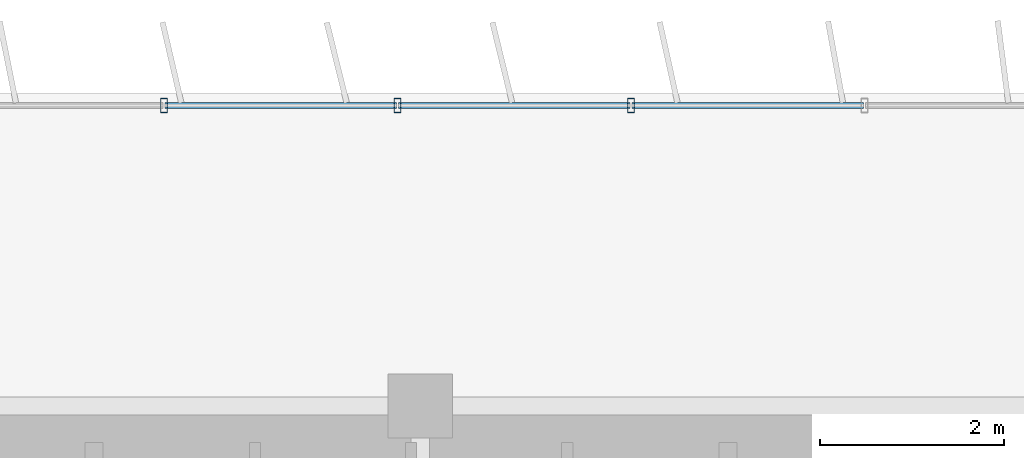
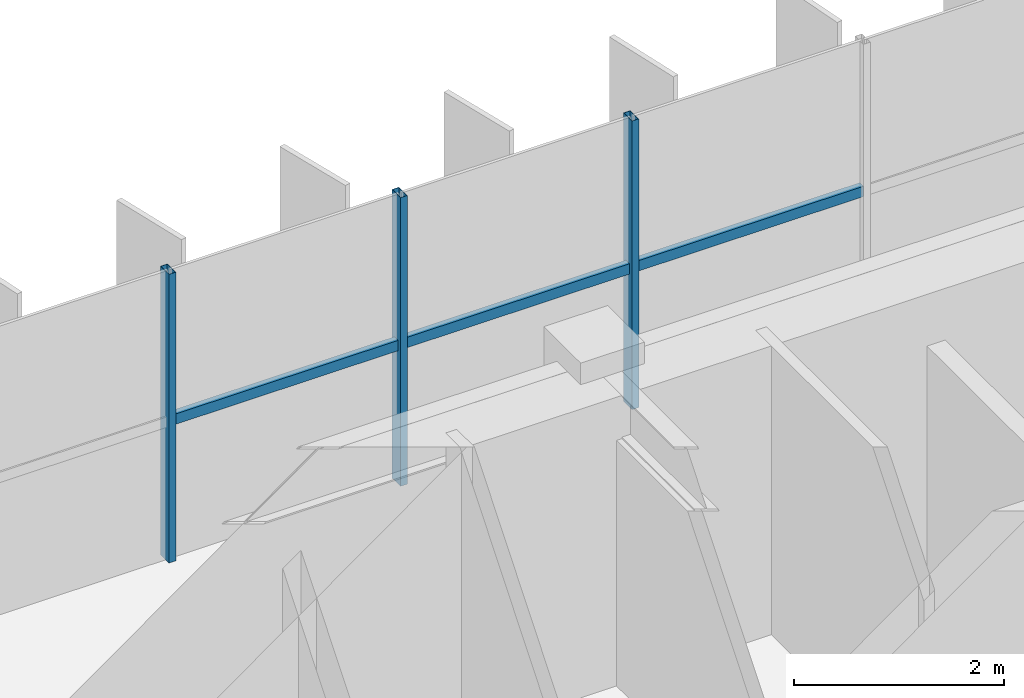
# One storey, part 9 of 22: 6 members, 1 element without a shape of its own.
"""IFC4 building model written with IfcOpenShell, lengths in metres."""

import ifcopenshell
import ifcopenshell.guid

model = None  # the IFC model being written
_history = None  # IfcOwnerHistory: only IFC2X3 demands one
_inside = {}  # id of a spatial element -> (the spatial element, [elements in it])
_under = {}  # id of a project, library or spatial element -> (it, [spatial elements below it])
_declared = {}  # id of a project -> (the project, [libraries it declares])
_typed = {}  # id of a type object -> (the type object, [elements of that type])
_made_of = {}  # id of a material, layer set ... -> (it, [elements and type objects made of it])


def new_model(schema):
    """Start an empty IFC model of exactly this schema.

    Asked for "IFC4X3", IfcOpenShell would pick the latest addendum, in which some entities
    have other attributes; the version numbers below select the first issue.
    IFC2X3 requires an IfcOwnerHistory on every rooted entity: one is made here for all.
    """
    global model, _history
    if schema == "IFC4X3":
        model = ifcopenshell.file(schema_version=(4, 3, 0, 0))
    else:
        model = ifcopenshell.file(schema=schema)
    _inside.clear()
    _under.clear()
    _declared.clear()
    _typed.clear()
    _made_of.clear()
    _history = None
    if model.schema == "IFC2X3":
        org = make("IfcOrganization", Name="unknown")
        user = make(
            "IfcPersonAndOrganization",
            ThePerson=make("IfcPerson", FamilyName="unknown"),
            TheOrganization=org,
        )
        app = make(
            "IfcApplication",
            ApplicationDeveloper=org,
            Version="unknown",
            ApplicationFullName="unknown",
            ApplicationIdentifier="unknown",
        )
        _history = make(
            "IfcOwnerHistory",
            OwningUser=user,
            OwningApplication=app,
            ChangeAction="ADDED",
            CreationDate=0,
        )
    return model


def make(cls, **values):
    """One entity of the class cls with the attributes given. An attribute that is None is left unset."""
    return model.create_entity(
        cls, **{name: value for name, value in values.items() if value is not None}
    )


def rooted(cls, **values):
    """An entity with a GlobalId (a new one), such as an element, a storey or a relation."""
    return make(cls, GlobalId=ifcopenshell.guid.new(), OwnerHistory=_history, **values)


def si_unit(unit_type, name, prefix=None):
    """IfcSIUnit, for example si_unit("LENGTHUNIT", "METRE", prefix="MILLI")."""
    return make("IfcSIUnit", UnitType=unit_type, Prefix=prefix, Name=name)


def assignment(units):
    """IfcUnitAssignment: the units of a project."""
    return None if units is None else make("IfcUnitAssignment", Units=units)


def point(xyz):
    """IfcCartesianPoint."""
    return None if xyz is None else make("IfcCartesianPoint", Coordinates=xyz)


def direction(xyz):
    """IfcDirection."""
    return None if xyz is None else make("IfcDirection", DirectionRatios=xyz)


def frame(location, z_axis=None, x_axis=None):
    """IfcAxis2Placement3D, a coordinate frame: its origin and axes. An axis left out is left unset."""
    return make(
        "IfcAxis2Placement3D",
        Location=point(location),
        Axis=direction(z_axis),
        RefDirection=direction(x_axis),
    )


def frame_2d(location, x_axis=None):
    """IfcAxis2Placement2D, a coordinate frame in the plane: its origin and x axis."""
    return make(
        "IfcAxis2Placement2D", Location=point(location), RefDirection=direction(x_axis)
    )


def origin():
    """The frame at (0, 0, 0) with its axes left unset."""
    return frame((0.0, 0.0, 0.0))


def origin_2d():
    """The frame at (0, 0) in the plane with its x axis left unset."""
    return frame_2d((0.0, 0.0))


def place(relative_to, where):
    """IfcLocalPlacement: puts the frame where relative to a parent placement (None: the world)."""
    return make(
        "IfcLocalPlacement", PlacementRelTo=relative_to, RelativePlacement=where
    )


def context(
    kind, dimensions, precision=None, world=None, true_north=None, identifier=None
):
    """IfcGeometricRepresentationContext, for example the 3D "Model" context."""
    return make(
        "IfcGeometricRepresentationContext",
        ContextIdentifier=identifier,
        ContextType=kind,
        CoordinateSpaceDimension=dimensions,
        Precision=precision,
        WorldCoordinateSystem=world,
        TrueNorth=true_north,
    )


def subcontext(parent, identifier, kind, view, scale=None):
    """IfcGeometricRepresentationSubContext, for example "Body" below "Model"."""
    return make(
        "IfcGeometricRepresentationSubContext",
        ContextIdentifier=identifier,
        ContextType=kind,
        ParentContext=parent,
        TargetScale=scale,
        TargetView=view,
    )


def project(units=None, contexts=None):
    """IfcProject with its units and contexts."""
    return rooted(
        "IfcProject",
        Name="project",
        RepresentationContexts=contexts,
        UnitsInContext=assignment(units),
    )


def spatial(cls, under=None, at=None, **own):
    """A site, building, storey or space (cls), placed at a placement, below another one or the project."""
    s = rooted(cls, ObjectPlacement=at, **own)
    if under is not None:
        _under.setdefault(under.id(), (under, []))[1].append(s)
    return s


def profile(cls, at=None, kind="AREA", **sizes):
    """A parametric profile (cls). Its sizes go by their IFC names, for example OverallWidth=200.0."""
    return make(cls, ProfileType=kind, Position=at, **sizes)


def hollow_rectangle(**sizes):
    """IfcRectangleHollowProfileDef."""
    return profile("IfcRectangleHollowProfileDef", **sizes)


def extrude(swept, where, along, depth):
    """IfcExtrudedAreaSolid: the profile swept, set in the frame where, extruded along a direction by depth."""
    return make(
        "IfcExtrudedAreaSolid",
        SweptArea=swept,
        Position=where,
        ExtrudedDirection=direction(along),
        Depth=depth,
    )


def shape(context_of_items, identifier, shape_type, items):
    """IfcShapeRepresentation: the items that make up one representation, for example the "Body"."""
    return make(
        "IfcShapeRepresentation",
        ContextOfItems=context_of_items,
        RepresentationIdentifier=identifier,
        RepresentationType=shape_type,
        Items=items,
    )


def source(mapping_origin, context_of_items, identifier, shape_type, items):
    """IfcRepresentationMap: a shape defined once, which mapped items show again and again."""
    return make(
        "IfcRepresentationMap",
        MappingOrigin=mapping_origin,
        MappedRepresentation=shape(context_of_items, identifier, shape_type, items),
    )


def transform(
    local_origin,
    x_axis=None,
    y_axis=None,
    z_axis=None,
    scale=None,
    scale2=None,
    scale3=None,
    uniform=True,
):
    """IfcCartesianTransformationOperator3D, or its non-uniform kind. x_axis, y_axis, z_axis: its Axis1, 2, 3."""
    if uniform:
        return make(
            "IfcCartesianTransformationOperator3D",
            Axis1=direction(x_axis),
            Axis2=direction(y_axis),
            LocalOrigin=point(local_origin),
            Scale=scale,
            Axis3=direction(z_axis),
        )
    return make(
        "IfcCartesianTransformationOperator3DnonUniform",
        Axis1=direction(x_axis),
        Axis2=direction(y_axis),
        LocalOrigin=point(local_origin),
        Scale=scale,
        Axis3=direction(z_axis),
        Scale2=scale2,
        Scale3=scale3,
    )


def mapped(mapping_source, mapping_target):
    """IfcMappedItem: shows the shape of a source again, moved by a transform."""
    return make(
        "IfcMappedItem", MappingSource=mapping_source, MappingTarget=mapping_target
    )


def material(Name=None, Category=None):
    """IfcMaterial."""
    return make("IfcMaterial", Name=Name, Category=Category)


def material_profile(
    of_material, cross_section, Name=None, Category=None, Priority=None
):
    """IfcMaterialProfile: a cross section and its material."""
    return make(
        "IfcMaterialProfile",
        Name=Name,
        Material=of_material,
        Profile=cross_section,
        Priority=Priority,
        Category=Category,
    )


def profile_set(profiles, Name=None, composite=None):
    """IfcMaterialProfileSet."""
    return make(
        "IfcMaterialProfileSet",
        Name=Name,
        MaterialProfiles=profiles,
        CompositeProfile=composite,
    )


def made_of(thing, what):
    """Note that an element or type object is made of a material, layer set ...; save() writes the relation."""
    if what is not None:
        _made_of.setdefault(what.id(), (what, []))[1].append(thing)
    return thing


def type_object(cls, material=None, **own):
    """A type object (cls), such as IfcWallType, which elements share."""
    return made_of(rooted(cls, **own), material)


def element(
    cls,
    number,
    at=None,
    inside=None,
    cuts=None,
    type_object=None,
    material=None,
    context=None,
    identifier="Body",
    shape_type=None,
    held_by="IfcProductDefinitionShape",
    body=None,
    shapes=None,
    **own,
):
    """One element of the class cls, such as IfcWall. Its Tag is "e" and its number.

    at: its placement. inside: the storey or other place that contains it. cuts: it is an
    opening in that element (IfcRelVoidsElement). A single representation is given by context,
    identifier, shape_type and body (its items); several are given by shapes. held_by: the class
    of the entity that holds the representations. save() writes the other relations.
    """
    e = rooted(cls, Tag="e%d" % number, ObjectPlacement=at, **own)
    if body is not None:
        shapes = [shape(context, identifier, shape_type, body)]
    if shapes is not None:
        e.Representation = make(held_by, Representations=shapes)
    if inside is not None:
        _inside.setdefault(inside.id(), (inside, []))[1].append(e)
    if cuts is not None:
        rooted(
            "IfcRelVoidsElement", RelatingBuildingElement=cuts, RelatedOpeningElement=e
        )
    if type_object is not None:
        _typed.setdefault(type_object.id(), (type_object, []))[1].append(e)
    return made_of(e, material)


def aggregate(whole, parts):
    """IfcRelAggregates: a whole, such as a stair, and the parts it consists of."""
    return rooted("IfcRelAggregates", RelatingObject=whole, RelatedObjects=parts)


def save(model, path):
    """Write the relations noted so far, then the file.

    IfcRelAggregates (storeys below a building ...), IfcRelContainedInSpatialStructure (elements
    in a storey), IfcRelDefinesByType, IfcRelAssociatesMaterial and IfcRelDeclares: one each for
    every whole, place, type object, material and project.
    """
    for whole, parts in _under.values():
        aggregate(whole, parts)
    for where, things in _inside.values():
        rooted(
            "IfcRelContainedInSpatialStructure",
            RelatedElements=things,
            RelatingStructure=where,
        )
    for kind, things in _typed.values():
        rooted("IfcRelDefinesByType", RelatedObjects=things, RelatingType=kind)
    for what, things in _made_of.values():
        rooted("IfcRelAssociatesMaterial", RelatedObjects=things, RelatingMaterial=what)
    for by, libraries in _declared.values():
        rooted("IfcRelDeclares", RelatingContext=by, RelatedDefinitions=libraries)
    model.write(path)


model = new_model("IFC4")

# Units and contexts
model_context = context("Model", 3, precision=1e-05, world=origin(), true_north=direction((0.0, 1.0)))
body_context = subcontext(model_context, "Body", "Model", "MODEL_VIEW")
ifc_project = project(units=[si_unit("LENGTHUNIT", "METRE"), si_unit("AREAUNIT", "SQUARE_METRE"), si_unit("VOLUMEUNIT", "CUBIC_METRE"), si_unit("PLANEANGLEUNIT", "RADIAN"), si_unit("MASSUNIT", "GRAM", prefix="KILO")], contexts=[model_context])

# Site, building, storey
site_placement = place(None, origin())
site = spatial("IfcSite", under=ifc_project, at=site_placement, CompositionType="ELEMENT")
building_placement = place(site_placement, origin())
building = spatial("IfcBuilding", under=site, at=building_placement, Name="Trelvane Seafront Commons", CompositionType="ELEMENT")
storey_placement = place(building_placement, frame((0.0, 0.0, 139.300048828125)))
storey = spatial("IfcBuildingStorey", under=building, at=storey_placement, Name="L36", CompositionType="ELEMENT", Elevation=139.300048828125)

# Curtain wall, members
ifc_material = material(Name="Anodised pale-silver aluminium", Category="aluminium")
curtain_wall_type = type_object("IfcCurtainWallType", Name="ARCH-CW5-UPTOWER", PredefinedType="NOTDEFINED", material=ifc_material)
curtain_wall_placement = place(storey_placement, origin())
curtain_wall = element("IfcCurtainWall", 1, at=curtain_wall_placement, inside=storey, type_object=curtain_wall_type, Name="CW-L36-0063", PredefinedType="NOTDEFINED")
ifc_material_profile_1 = material_profile(ifc_material, hollow_rectangle(XDim=0.070068359375, YDim=0.1201171875, WallThickness=0.00390625, at=origin_2d()), Name="TRAN-70x120x4")
ifc_profile_set_1 = profile_set([ifc_material_profile_1], Name="Anodised pale-silver aluminium")
member_type_1 = type_object("IfcMemberType", Name="ARCH-CW-TRAN-120", PredefinedType="USERDEFINED", material=ifc_profile_set_1)
shared_shape_1 = source(origin(), body_context, "Body", "SweptSolid", [
    extrude(hollow_rectangle(XDim=0.070068359375, YDim=0.1201171875, WallThickness=0.00390625, at=origin_2d()), origin(), (0.0, 0.0, 1.0), 2.51708984375),
])
member_1_placement = place(storey_placement, frame((43.56494140625, 48.3701171875, 1.60791015625), z_axis=(1.0, 0.0, 0.0), x_axis=(0.0, 1.0, 0.0)))
member_1 = element("IfcMember", 2, at=member_1_placement, type_object=member_type_1, Name="CW-L36-0063-T11", ObjectType="TRANSOM", PredefinedType="USERDEFINED", context=body_context, shape_type="MappedRepresentation", body=[
    mapped(shared_shape_1, transform((0.0, 0.0, 0.0), x_axis=(1.0, 0.0, 0.0), y_axis=(0.0, 1.0, 0.0), z_axis=(0.0, 0.0, 1.0), scale=1.0)),
])
member_2_placement = place(storey_placement, frame((46.106201171875, 48.3701171875, 1.60791015625), z_axis=(1.0, 0.0, 0.0), x_axis=(0.0, 1.0, 0.0)))
member_2 = element("IfcMember", 3, at=member_2_placement, type_object=member_type_1, Name="CW-L36-0063-T12", ObjectType="TRANSOM", PredefinedType="USERDEFINED", context=body_context, shape_type="MappedRepresentation", body=[
    mapped(shared_shape_1, transform((0.0, 0.0, 0.0), x_axis=(1.0, 0.0, 0.0), y_axis=(0.0, 1.0, 0.0), z_axis=(0.0, 0.0, 1.0), scale=1.0)),
])
shared_shape_2 = source(origin(), body_context, "Body", "SweptSolid", [
    extrude(hollow_rectangle(XDim=0.070068359375, YDim=0.1201171875, WallThickness=0.00390625, at=origin_2d()), origin(), (0.0, 0.0, 1.0), 2.517333984375),
])
member_3_placement = place(storey_placement, frame((41.023681640625, 48.3701171875, 1.60791015625), z_axis=(1.0, 0.0, 0.0), x_axis=(0.0, 1.0, 0.0)))
member_3 = element("IfcMember", 4, at=member_3_placement, type_object=member_type_1, Name="CW-L36-0063-T10", ObjectType="TRANSOM", PredefinedType="USERDEFINED", context=body_context, shape_type="MappedRepresentation", body=[
    mapped(shared_shape_2, transform((0.0, 0.0, 0.0), x_axis=(1.0, 0.0, 0.0), y_axis=(0.0, 1.0, 0.0), z_axis=(0.0, 0.0, 1.0), scale=1.0)),
])
ifc_material_profile_2 = material_profile(ifc_material, hollow_rectangle(XDim=0.074951171875, YDim=0.159912109375, WallThickness=0.00390625, at=origin_2d()), Name="MULL-75x160x4")
ifc_profile_set_2 = profile_set([ifc_material_profile_2], Name="Anodised pale-silver aluminium")
member_type_2 = type_object("IfcMemberType", Name="ARCH-CW-MULL-160", PredefinedType="MULLION", material=ifc_profile_set_2)
shared_shape_3 = source(origin(), body_context, "Body", "SweptSolid", [
    extrude(hollow_rectangle(XDim=0.074951171875, YDim=0.159912109375, WallThickness=0.00390625, at=origin_2d()), origin(), (0.0, 0.0, 1.0), 3.349853515625),
])
member_4_placement = place(storey_placement, frame((41.01171875, 48.3701171875, 0.0), z_axis=(0.0, 0.0, 1.0), x_axis=(1.0, 0.0, 0.0)))
member_4 = element("IfcMember", 5, at=member_4_placement, type_object=member_type_2, Name="CW-L36-0063-M10", PredefinedType="MULLION", context=body_context, shape_type="MappedRepresentation", body=[
    mapped(shared_shape_3, transform((0.0, 0.0, 0.0), x_axis=(1.0, 0.0, 0.0), y_axis=(0.0, 1.0, 0.0), z_axis=(0.0, 0.0, 1.0), scale=1.0)),
])
member_5_placement = place(storey_placement, frame((43.552978515625, 48.3701171875, 0.0), z_axis=(0.0, 0.0, 1.0), x_axis=(1.0, 0.0, 0.0)))
member_5 = element("IfcMember", 6, at=member_5_placement, type_object=member_type_2, Name="CW-L36-0063-M11", PredefinedType="MULLION", context=body_context, shape_type="MappedRepresentation", body=[
    mapped(shared_shape_3, transform((0.0, 0.0, 0.0), x_axis=(1.0, 0.0, 0.0), y_axis=(0.0, 1.0, 0.0), z_axis=(0.0, 0.0, 1.0), scale=1.0)),
])
member_6_placement = place(storey_placement, frame((46.093994140625, 48.3701171875, 0.0), z_axis=(0.0, 0.0, 1.0), x_axis=(1.0, 0.0, 0.0)))
member_6 = element("IfcMember", 7, at=member_6_placement, type_object=member_type_2, Name="CW-L36-0063-M12", PredefinedType="MULLION", context=body_context, shape_type="MappedRepresentation", body=[
    mapped(shared_shape_3, transform((0.0, 0.0, 0.0), x_axis=(1.0, 0.0, 0.0), y_axis=(0.0, 1.0, 0.0), z_axis=(0.0, 0.0, 1.0), scale=1.0)),
])
aggregate(curtain_wall, [member_4, member_5, member_6, member_3, member_1, member_2])

save(model, "model.ifc")
